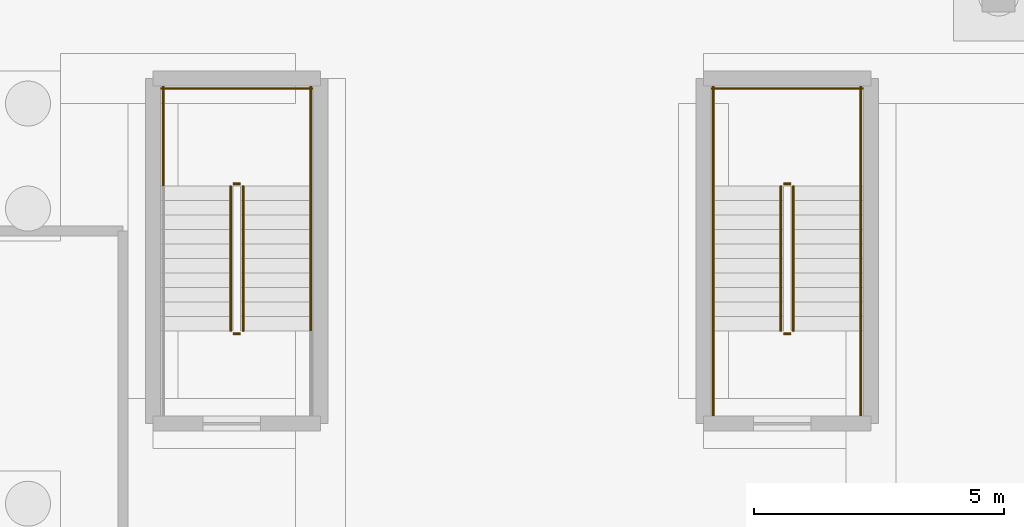
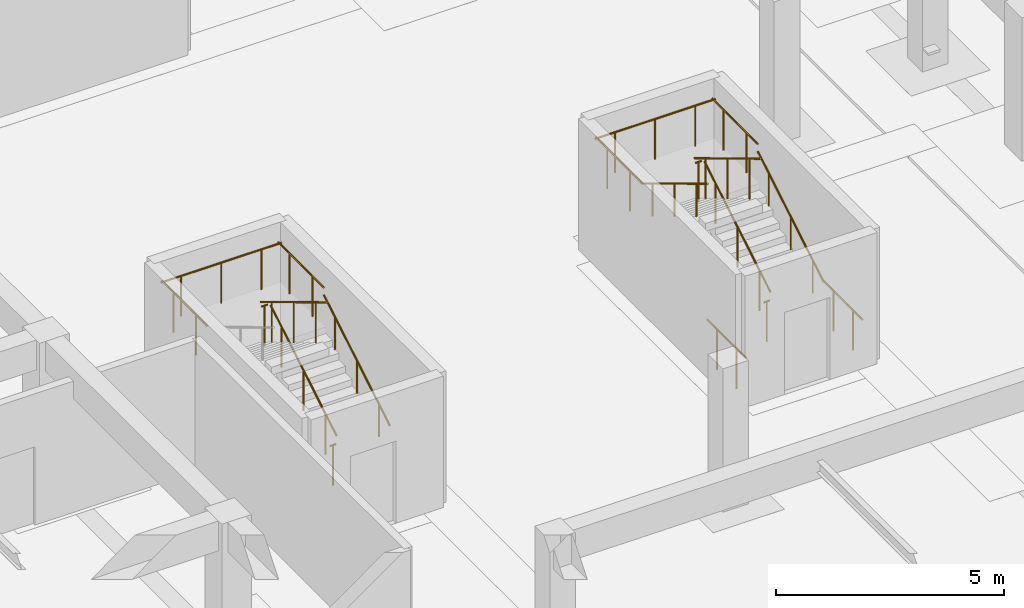
# One storey, part 32 of 35: 19 railings.
"""IFC4 building model written with IfcOpenShell, lengths in metres."""

from ifc_helpers import new_model, si_unit, direction, frame, origin, origin_2d, place, context, subcontext, project, spatial, circle, extrude, material, type_object, element, save


model = new_model("IFC4")

# Units and contexts
model_context = context("Model", 3, precision=1e-05, world=origin(), true_north=direction((0.0, 1.0)))
body_context = subcontext(model_context, "Body", "Model", "MODEL_VIEW")
ifc_project = project(units=[si_unit("LENGTHUNIT", "METRE"), si_unit("AREAUNIT", "SQUARE_METRE"), si_unit("VOLUMEUNIT", "CUBIC_METRE"), si_unit("PLANEANGLEUNIT", "RADIAN"), si_unit("MASSUNIT", "GRAM", prefix="KILO")], contexts=[model_context])

# Site, building, storey
site_placement = place(None, origin())
site = spatial("IfcSite", under=ifc_project, at=site_placement, CompositionType="ELEMENT")
building_placement = place(site_placement, origin())
building = spatial("IfcBuilding", under=site, at=building_placement, Name="Keldmere Railside Commons", CompositionType="ELEMENT")
storey_placement = place(building_placement, frame((0.0, 0.0, -3.840087890625)))
storey = spatial("IfcBuildingStorey", under=building, at=storey_placement, Name="B1", CompositionType="ELEMENT", Elevation=-3.840087890625)

# Railings
ifc_material = material(Name="Steel F-24 (S235)", Category="steel")
railing_type_1 = type_object("IfcRailingType", Name="Stair Well Steel Guardrail 1100", PredefinedType="BALUSTRADE", material=ifc_material)
railing_1_placement = place(storey_placement, frame((28.89990234375, 84.5, 0.174560546875)))
element("IfcRailing", 1, at=railing_1_placement, inside=storey, type_object=railing_type_1, Name="B1 ST-B1 stair guard 1", PredefinedType="BALUSTRADE", context=body_context, shape_type="SweptSolid", body=[
    extrude(circle(Radius=0.02392578125, at=origin_2d()), frame((0.0, 0.0, 1.076171875), z_axis=(0.0, 0.856753776629, 0.515725669549), x_axis=(-1.0, 0.0, 0.0)), (0.0, 0.0, 1.0), 3.384765625),
    extrude(circle(Radius=0.02099609375, at=origin_2d()), frame((0.0, 0.4833984375, 0.291015625)), (0.0, 0.0, 1.0), 1.048095703125),
    extrude(circle(Radius=0.02099609375, at=origin_2d()), frame((0.0, 1.449951171875, 0.872802734375)), (0.0, 0.0, 1.0), 1.048095703125),
    extrude(circle(Radius=0.02099609375, at=origin_2d()), frame((0.0, 2.41650390625, 1.45458984375)), (0.0, 0.0, 1.0), 1.048095703125),
])
railing_2_placement = place(storey_placement, frame((28.85009765625, 87.449951171875, 1.920166015625)))
element("IfcRailing", 2, at=railing_2_placement, inside=storey, type_object=railing_type_1, Name="B1 ST-B1 stair guard 2", PredefinedType="BALUSTRADE", context=body_context, shape_type="SweptSolid", body=[
    extrude(circle(Radius=0.02392578125, at=origin_2d()), frame((0.0, 0.0, 1.076171875), z_axis=(-1.0, 0.0, 0.0), x_axis=(0.0, -1.0, 0.0)), (0.0, 0.0, 1.0), 0.150146484375),
    extrude(circle(Radius=0.02099609375, at=origin_2d()), frame((-0.0751953125, 0.0, 0.0)), (0.0, 0.0, 1.0), 1.048095703125),
])
for number, where, name in (
    (3, (30.25, 87.39990234375, 1.920166015625), "B1 ST-B1 stair guard 3"),
    (4, (27.300048828125, 87.39990234375, 1.920166015625), "B1 ST-B1 stair guard 4"),
):
    element("IfcRailing", number, at=place(storey_placement, frame(where)), inside=storey, type_object=railing_type_1, Name=name, PredefinedType="BALUSTRADE", context=body_context, shape_type="SweptSolid", body=[
        extrude(circle(Radius=0.02392578125, at=origin_2d()), frame((0.0, 0.0, 1.076171875), z_axis=(0.0, 1.0, 0.0), x_axis=(-1.0, 0.0, 0.0)), (0.0, 0.0, 1.0), 2.0),
        extrude(circle(Radius=0.02099609375, at=origin_2d()), frame((0.0, 0.5, 0.0)), (0.0, 0.0, 1.0), 1.048095703125),
        extrude(circle(Radius=0.02099609375, at=origin_2d()), frame((0.0, 1.5, 0.0)), (0.0, 0.0, 1.0), 1.048095703125),
    ])
railing_3_placement = place(storey_placement, frame((30.300048828125, 89.35009765625, 1.920166015625)))
element("IfcRailing", 5, at=railing_3_placement, inside=storey, type_object=railing_type_1, Name="B1 ST-B1 stair guard 5", PredefinedType="BALUSTRADE", context=body_context, shape_type="SweptSolid", body=[
    extrude(circle(Radius=0.02392578125, at=origin_2d()), frame((0.0, 0.0, 1.076171875), z_axis=(-1.0, 0.0, 0.0), x_axis=(0.0, -1.0, 0.0)), (0.0, 0.0, 1.0), 3.050048828125),
    extrude(circle(Radius=0.02099609375, at=origin_2d()), frame((-0.50830078125, 0.0, 0.0)), (0.0, 0.0, 1.0), 1.048095703125),
    extrude(circle(Radius=0.02099609375, at=origin_2d()), frame((-1.52490234375, 0.0, 0.0)), (0.0, 0.0, 1.0), 1.048095703125),
    extrude(circle(Radius=0.02099609375, at=origin_2d()), frame((-2.541748046875, 0.0, 0.0)), (0.0, 0.0, 1.0), 1.048095703125),
])
railing_4_placement = place(storey_placement, frame((28.64990234375, 87.39990234375, 2.0947265625)))
element("IfcRailing", 6, at=railing_4_placement, inside=storey, type_object=railing_type_1, Name="B1 ST-B1 stair guard 6", PredefinedType="BALUSTRADE", context=body_context, shape_type="SweptSolid", body=[
    extrude(circle(Radius=0.02392578125, at=origin_2d()), frame((0.0, 0.0, 1.076171875), z_axis=(0.0, -0.856785646576, 0.515672721618), x_axis=(1.0, 0.0, 0.0)), (0.0, 0.0, 1.0), 3.384521484375),
    extrude(circle(Radius=0.02099609375, at=origin_2d()), frame((0.0, -0.4833984375, 0.291015625)), (0.0, 0.0, 1.0), 1.048095703125),
    extrude(circle(Radius=0.02099609375, at=origin_2d()), frame((0.0, -1.449951171875, 0.87255859375)), (0.0, 0.0, 1.0), 1.048095703125),
    extrude(circle(Radius=0.02099609375, at=origin_2d()), frame((0.0, -2.41650390625, 1.45458984375)), (0.0, 0.0, 1.0), 1.048095703125),
])
railing_5_placement = place(storey_placement, frame((28.85009765625, 84.449951171875, 0.0)))
element("IfcRailing", 7, at=railing_5_placement, inside=storey, type_object=railing_type_1, Name="B1 ST-B1 stair guard 7", PredefinedType="BALUSTRADE", context=body_context, shape_type="SweptSolid", body=[
    extrude(circle(Radius=0.02392578125, at=origin_2d()), frame((0.0, 0.0, 1.076171875), z_axis=(-1.0, 0.0, 0.0), x_axis=(0.0, -1.0, 0.0)), (0.0, 0.0, 1.0), 0.150146484375),
    extrude(circle(Radius=0.02099609375, at=origin_2d()), frame((-0.0751953125, 0.0, 0.0)), (0.0, 0.0, 1.0), 1.048095703125),
])
railing_6_placement = place(storey_placement, frame((39.89990234375, 84.5, 0.174560546875)))
element("IfcRailing", 8, at=railing_6_placement, inside=storey, type_object=railing_type_1, Name="B1 ST-B2 stair guard 1", PredefinedType="BALUSTRADE", context=body_context, shape_type="SweptSolid", body=[
    extrude(circle(Radius=0.02392578125, at=origin_2d()), frame((0.0, 0.0, 1.076171875), z_axis=(0.0, 0.856753776629, 0.515725669549), x_axis=(-1.0, 0.0, 0.0)), (0.0, 0.0, 1.0), 3.384765625),
    extrude(circle(Radius=0.02099609375, at=origin_2d()), frame((0.0, 0.4833984375, 0.291015625)), (0.0, 0.0, 1.0), 1.048095703125),
    extrude(circle(Radius=0.02099609375, at=origin_2d()), frame((0.0, 1.449951171875, 0.872802734375)), (0.0, 0.0, 1.0), 1.048095703125),
    extrude(circle(Radius=0.02099609375, at=origin_2d()), frame((0.0, 2.41650390625, 1.45458984375)), (0.0, 0.0, 1.0), 1.048095703125),
])
railing_7_placement = place(storey_placement, frame((39.85009765625, 87.449951171875, 1.920166015625)))
element("IfcRailing", 9, at=railing_7_placement, inside=storey, type_object=railing_type_1, Name="B1 ST-B2 stair guard 2", PredefinedType="BALUSTRADE", context=body_context, shape_type="SweptSolid", body=[
    extrude(circle(Radius=0.02392578125, at=origin_2d()), frame((0.0, 0.0, 1.076171875), z_axis=(-1.0, 0.0, 0.0), x_axis=(0.0, -1.0, 0.0)), (0.0, 0.0, 1.0), 0.150146484375),
    extrude(circle(Radius=0.02099609375, at=origin_2d()), frame((-0.0751953125, 0.0, 0.0)), (0.0, 0.0, 1.0), 1.048095703125),
])
for number, where, name in (
    (10, (41.25, 87.39990234375, 1.920166015625), "B1 ST-B2 stair guard 3"),
    (11, (38.300048828125, 87.39990234375, 1.920166015625), "B1 ST-B2 stair guard 4"),
):
    element("IfcRailing", number, at=place(storey_placement, frame(where)), inside=storey, type_object=railing_type_1, Name=name, PredefinedType="BALUSTRADE", context=body_context, shape_type="SweptSolid", body=[
        extrude(circle(Radius=0.02392578125, at=origin_2d()), frame((0.0, 0.0, 1.076171875), z_axis=(0.0, 1.0, 0.0), x_axis=(-1.0, 0.0, 0.0)), (0.0, 0.0, 1.0), 2.0),
        extrude(circle(Radius=0.02099609375, at=origin_2d()), frame((0.0, 0.5, 0.0)), (0.0, 0.0, 1.0), 1.048095703125),
        extrude(circle(Radius=0.02099609375, at=origin_2d()), frame((0.0, 1.5, 0.0)), (0.0, 0.0, 1.0), 1.048095703125),
    ])
railing_8_placement = place(storey_placement, frame((41.300048828125, 89.35009765625, 1.920166015625)))
element("IfcRailing", 12, at=railing_8_placement, inside=storey, type_object=railing_type_1, Name="B1 ST-B2 stair guard 5", PredefinedType="BALUSTRADE", context=body_context, shape_type="SweptSolid", body=[
    extrude(circle(Radius=0.02392578125, at=origin_2d()), frame((0.0, 0.0, 1.076171875), z_axis=(-1.0, 0.0, 0.0), x_axis=(0.0, -1.0, 0.0)), (0.0, 0.0, 1.0), 3.050048828125),
    extrude(circle(Radius=0.02099609375, at=origin_2d()), frame((-0.50830078125, 0.0, 0.0)), (0.0, 0.0, 1.0), 1.048095703125),
    extrude(circle(Radius=0.02099609375, at=origin_2d()), frame((-1.52490234375, 0.0, 0.0)), (0.0, 0.0, 1.0), 1.048095703125),
    extrude(circle(Radius=0.02099609375, at=origin_2d()), frame((-2.541748046875, 0.0, 0.0)), (0.0, 0.0, 1.0), 1.048095703125),
])
railing_9_placement = place(storey_placement, frame((39.64990234375, 87.39990234375, 2.0947265625)))
element("IfcRailing", 13, at=railing_9_placement, inside=storey, type_object=railing_type_1, Name="B1 ST-B2 stair guard 6", PredefinedType="BALUSTRADE", context=body_context, shape_type="SweptSolid", body=[
    extrude(circle(Radius=0.02392578125, at=origin_2d()), frame((0.0, 0.0, 1.076171875), z_axis=(0.0, -0.856785646576, 0.515672721618), x_axis=(1.0, 0.0, 0.0)), (0.0, 0.0, 1.0), 3.384521484375),
    extrude(circle(Radius=0.02099609375, at=origin_2d()), frame((0.0, -0.4833984375, 0.291015625)), (0.0, 0.0, 1.0), 1.048095703125),
    extrude(circle(Radius=0.02099609375, at=origin_2d()), frame((0.0, -1.449951171875, 0.87255859375)), (0.0, 0.0, 1.0), 1.048095703125),
    extrude(circle(Radius=0.02099609375, at=origin_2d()), frame((0.0, -2.41650390625, 1.45458984375)), (0.0, 0.0, 1.0), 1.048095703125),
])
railing_10_placement = place(storey_placement, frame((39.85009765625, 84.449951171875, 0.0)))
element("IfcRailing", 14, at=railing_10_placement, inside=storey, type_object=railing_type_1, Name="B1 ST-B2 stair guard 7", PredefinedType="BALUSTRADE", context=body_context, shape_type="SweptSolid", body=[
    extrude(circle(Radius=0.02392578125, at=origin_2d()), frame((0.0, 0.0, 1.076171875), z_axis=(-1.0, 0.0, 0.0), x_axis=(0.0, -1.0, 0.0)), (0.0, 0.0, 1.0), 0.150146484375),
    extrude(circle(Radius=0.02099609375, at=origin_2d()), frame((-0.0751953125, 0.0, 0.0)), (0.0, 0.0, 1.0), 1.048095703125),
])
for number, where, name in (
    (15, (41.25, 82.800048828125, 0.0), "B1 ST-B2 stair guard 8"),
    (16, (38.300048828125, 82.800048828125, 0.0), "B1 ST-B2 stair guard 9"),
):
    element("IfcRailing", number, at=place(storey_placement, frame(where)), inside=storey, type_object=railing_type_1, Name=name, PredefinedType="BALUSTRADE", context=body_context, shape_type="SweptSolid", body=[
        extrude(circle(Radius=0.02392578125, at=origin_2d()), frame((0.0, 0.0, 1.076171875), z_axis=(0.0, 1.0, 0.0), x_axis=(-1.0, 0.0, 0.0)), (0.0, 0.0, 1.0), 1.699951171875),
        extrude(circle(Radius=0.02099609375, at=origin_2d()), frame((0.0, 0.425048828125, 0.0)), (0.0, 0.0, 1.0), 1.048095703125),
        extrude(circle(Radius=0.02099609375, at=origin_2d()), frame((0.0, 1.27490234375, 0.0)), (0.0, 0.0, 1.0), 1.048095703125),
    ])
railing_type_2 = type_object("IfcRailingType", Name="Wall-Mounted Tubular Steel Handrail 900", PredefinedType="HANDRAIL", material=ifc_material)
for number, where, name in (
    (17, (30.25, 84.5, 0.174560546875), "B1 ST-B1 stair handrail 1"),
    (18, (41.25, 84.5, 0.174560546875), "B1 ST-B2 stair handrail 1"),
):
    element("IfcRailing", number, at=place(storey_placement, frame(where)), inside=storey, type_object=railing_type_2, Name=name, PredefinedType="HANDRAIL", context=body_context, shape_type="SweptSolid", body=[
        extrude(circle(Radius=0.02392578125, at=origin_2d()), frame((0.0, 0.0, 0.8759765625), z_axis=(0.0, 0.856753776629, 0.515725669549), x_axis=(-1.0, 0.0, 0.0)), (0.0, 0.0, 1.0), 3.384765625),
        extrude(circle(Radius=0.02099609375, at=origin_2d()), frame((0.0, 0.4833984375, 0.291015625)), (0.0, 0.0, 1.0), 0.847900390625),
        extrude(circle(Radius=0.02099609375, at=origin_2d()), frame((0.0, 1.449951171875, 0.872802734375)), (0.0, 0.0, 1.0), 0.847900390625),
        extrude(circle(Radius=0.02099609375, at=origin_2d()), frame((0.0, 2.41650390625, 1.45458984375)), (0.0, 0.0, 1.0), 0.847900390625),
    ])
railing_11_placement = place(storey_placement, frame((38.300048828125, 87.39990234375, 2.0947265625)))
element("IfcRailing", 19, at=railing_11_placement, inside=storey, type_object=railing_type_2, Name="B1 ST-B2 stair handrail 2", PredefinedType="HANDRAIL", context=body_context, shape_type="SweptSolid", body=[
    extrude(circle(Radius=0.02392578125, at=origin_2d()), frame((0.0, 0.0, 0.8759765625), z_axis=(0.0, -0.856785646576, 0.515672721618), x_axis=(1.0, 0.0, 0.0)), (0.0, 0.0, 1.0), 3.384521484375),
    extrude(circle(Radius=0.02099609375, at=origin_2d()), frame((0.0, -0.4833984375, 0.291015625)), (0.0, 0.0, 1.0), 0.847900390625),
    extrude(circle(Radius=0.02099609375, at=origin_2d()), frame((0.0, -1.449951171875, 0.87255859375)), (0.0, 0.0, 1.0), 0.847900390625),
    extrude(circle(Radius=0.02099609375, at=origin_2d()), frame((0.0, -2.41650390625, 1.45458984375)), (0.0, 0.0, 1.0), 0.847900390625),
])

save(model, "model.ifc")
